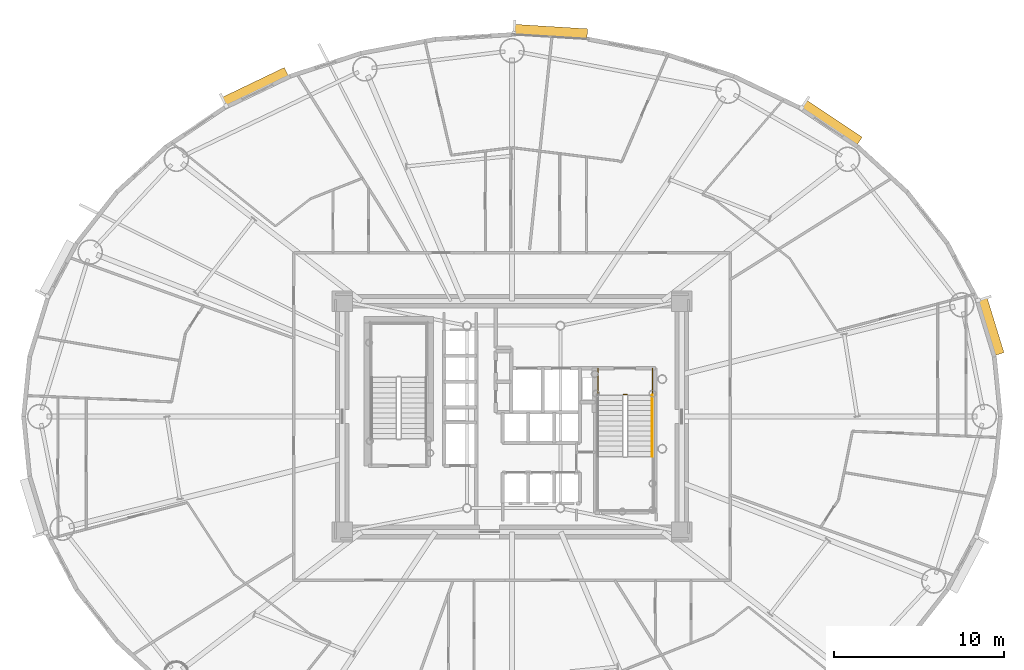
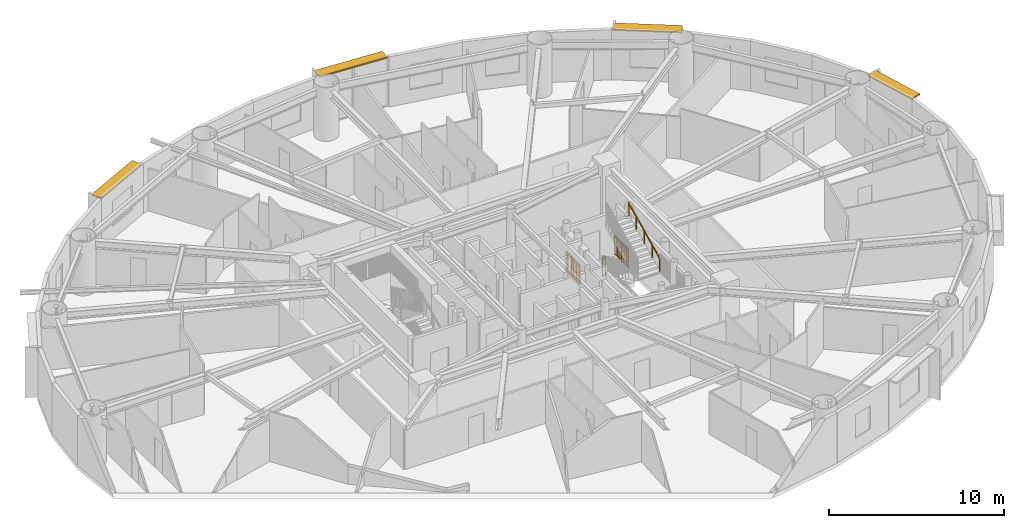
# One storey, part 21 of 21: 4 railings, 4 shading devices.
"""IFC4 building model written with IfcOpenShell, lengths in metres."""

import ifcopenshell
import ifcopenshell.guid

model = None  # the IFC model being written
_history = None  # IfcOwnerHistory: only IFC2X3 demands one
_inside = {}  # id of a spatial element -> (the spatial element, [elements in it])
_under = {}  # id of a project, library or spatial element -> (it, [spatial elements below it])
_declared = {}  # id of a project -> (the project, [libraries it declares])
_typed = {}  # id of a type object -> (the type object, [elements of that type])
_made_of = {}  # id of a material, layer set ... -> (it, [elements and type objects made of it])


def new_model(schema):
    """Start an empty IFC model of exactly this schema.

    Asked for "IFC4X3", IfcOpenShell would pick the latest addendum, in which some entities
    have other attributes; the version numbers below select the first issue.
    IFC2X3 requires an IfcOwnerHistory on every rooted entity: one is made here for all.
    """
    global model, _history
    if schema == "IFC4X3":
        model = ifcopenshell.file(schema_version=(4, 3, 0, 0))
    else:
        model = ifcopenshell.file(schema=schema)
    _inside.clear()
    _under.clear()
    _declared.clear()
    _typed.clear()
    _made_of.clear()
    _history = None
    if model.schema == "IFC2X3":
        org = make("IfcOrganization", Name="unknown")
        user = make(
            "IfcPersonAndOrganization",
            ThePerson=make("IfcPerson", FamilyName="unknown"),
            TheOrganization=org,
        )
        app = make(
            "IfcApplication",
            ApplicationDeveloper=org,
            Version="unknown",
            ApplicationFullName="unknown",
            ApplicationIdentifier="unknown",
        )
        _history = make(
            "IfcOwnerHistory",
            OwningUser=user,
            OwningApplication=app,
            ChangeAction="ADDED",
            CreationDate=0,
        )
    return model


def make(cls, **values):
    """One entity of the class cls with the attributes given. An attribute that is None is left unset."""
    return model.create_entity(
        cls, **{name: value for name, value in values.items() if value is not None}
    )


def rooted(cls, **values):
    """An entity with a GlobalId (a new one), such as an element, a storey or a relation."""
    return make(cls, GlobalId=ifcopenshell.guid.new(), OwnerHistory=_history, **values)


def si_unit(unit_type, name, prefix=None):
    """IfcSIUnit, for example si_unit("LENGTHUNIT", "METRE", prefix="MILLI")."""
    return make("IfcSIUnit", UnitType=unit_type, Prefix=prefix, Name=name)


def assignment(units):
    """IfcUnitAssignment: the units of a project."""
    return None if units is None else make("IfcUnitAssignment", Units=units)


def point(xyz):
    """IfcCartesianPoint."""
    return None if xyz is None else make("IfcCartesianPoint", Coordinates=xyz)


def direction(xyz):
    """IfcDirection."""
    return None if xyz is None else make("IfcDirection", DirectionRatios=xyz)


def frame(location, z_axis=None, x_axis=None):
    """IfcAxis2Placement3D, a coordinate frame: its origin and axes. An axis left out is left unset."""
    return make(
        "IfcAxis2Placement3D",
        Location=point(location),
        Axis=direction(z_axis),
        RefDirection=direction(x_axis),
    )


def frame_2d(location, x_axis=None):
    """IfcAxis2Placement2D, a coordinate frame in the plane: its origin and x axis."""
    return make(
        "IfcAxis2Placement2D", Location=point(location), RefDirection=direction(x_axis)
    )


def origin():
    """The frame at (0, 0, 0) with its axes left unset."""
    return frame((0.0, 0.0, 0.0))


def origin_2d():
    """The frame at (0, 0) in the plane with its x axis left unset."""
    return frame_2d((0.0, 0.0))


def place(relative_to, where):
    """IfcLocalPlacement: puts the frame where relative to a parent placement (None: the world)."""
    return make(
        "IfcLocalPlacement", PlacementRelTo=relative_to, RelativePlacement=where
    )


def context(
    kind, dimensions, precision=None, world=None, true_north=None, identifier=None
):
    """IfcGeometricRepresentationContext, for example the 3D "Model" context."""
    return make(
        "IfcGeometricRepresentationContext",
        ContextIdentifier=identifier,
        ContextType=kind,
        CoordinateSpaceDimension=dimensions,
        Precision=precision,
        WorldCoordinateSystem=world,
        TrueNorth=true_north,
    )


def subcontext(parent, identifier, kind, view, scale=None):
    """IfcGeometricRepresentationSubContext, for example "Body" below "Model"."""
    return make(
        "IfcGeometricRepresentationSubContext",
        ContextIdentifier=identifier,
        ContextType=kind,
        ParentContext=parent,
        TargetScale=scale,
        TargetView=view,
    )


def project(units=None, contexts=None):
    """IfcProject with its units and contexts."""
    return rooted(
        "IfcProject",
        Name="project",
        RepresentationContexts=contexts,
        UnitsInContext=assignment(units),
    )


def spatial(cls, under=None, at=None, **own):
    """A site, building, storey or space (cls), placed at a placement, below another one or the project."""
    s = rooted(cls, ObjectPlacement=at, **own)
    if under is not None:
        _under.setdefault(under.id(), (under, []))[1].append(s)
    return s


def profile(cls, at=None, kind="AREA", **sizes):
    """A parametric profile (cls). Its sizes go by their IFC names, for example OverallWidth=200.0."""
    return make(cls, ProfileType=kind, Position=at, **sizes)


def rectangle(**sizes):
    """IfcRectangleProfileDef."""
    return profile("IfcRectangleProfileDef", **sizes)


def extrude(swept, where, along, depth):
    """IfcExtrudedAreaSolid: the profile swept, set in the frame where, extruded along a direction by depth."""
    return make(
        "IfcExtrudedAreaSolid",
        SweptArea=swept,
        Position=where,
        ExtrudedDirection=direction(along),
        Depth=depth,
    )


def shape(context_of_items, identifier, shape_type, items):
    """IfcShapeRepresentation: the items that make up one representation, for example the "Body"."""
    return make(
        "IfcShapeRepresentation",
        ContextOfItems=context_of_items,
        RepresentationIdentifier=identifier,
        RepresentationType=shape_type,
        Items=items,
    )


def source(mapping_origin, context_of_items, identifier, shape_type, items):
    """IfcRepresentationMap: a shape defined once, which mapped items show again and again."""
    return make(
        "IfcRepresentationMap",
        MappingOrigin=mapping_origin,
        MappedRepresentation=shape(context_of_items, identifier, shape_type, items),
    )


def transform(
    local_origin,
    x_axis=None,
    y_axis=None,
    z_axis=None,
    scale=None,
    scale2=None,
    scale3=None,
    uniform=True,
):
    """IfcCartesianTransformationOperator3D, or its non-uniform kind. x_axis, y_axis, z_axis: its Axis1, 2, 3."""
    if uniform:
        return make(
            "IfcCartesianTransformationOperator3D",
            Axis1=direction(x_axis),
            Axis2=direction(y_axis),
            LocalOrigin=point(local_origin),
            Scale=scale,
            Axis3=direction(z_axis),
        )
    return make(
        "IfcCartesianTransformationOperator3DnonUniform",
        Axis1=direction(x_axis),
        Axis2=direction(y_axis),
        LocalOrigin=point(local_origin),
        Scale=scale,
        Axis3=direction(z_axis),
        Scale2=scale2,
        Scale3=scale3,
    )


def mapped(mapping_source, mapping_target):
    """IfcMappedItem: shows the shape of a source again, moved by a transform."""
    return make(
        "IfcMappedItem", MappingSource=mapping_source, MappingTarget=mapping_target
    )


def material(Name=None, Category=None):
    """IfcMaterial."""
    return make("IfcMaterial", Name=Name, Category=Category)


def layer(
    of_material, thickness, ventilated=None, Name=None, Category=None, Priority=None
):
    """IfcMaterialLayer: one layer of a wall or slab, of a material (None: an air gap)."""
    return make(
        "IfcMaterialLayer",
        Material=of_material,
        LayerThickness=thickness,
        IsVentilated=ventilated,
        Name=Name,
        Category=Category,
        Priority=Priority,
    )


def layer_set(layers, Name=None):
    """IfcMaterialLayerSet."""
    return make("IfcMaterialLayerSet", MaterialLayers=layers, LayerSetName=Name)


def made_of(thing, what):
    """Note that an element or type object is made of a material, layer set ...; save() writes the relation."""
    if what is not None:
        _made_of.setdefault(what.id(), (what, []))[1].append(thing)
    return thing


def type_object(cls, material=None, **own):
    """A type object (cls), such as IfcWallType, which elements share."""
    return made_of(rooted(cls, **own), material)


def element(
    cls,
    number,
    at=None,
    inside=None,
    cuts=None,
    type_object=None,
    material=None,
    context=None,
    identifier="Body",
    shape_type=None,
    held_by="IfcProductDefinitionShape",
    body=None,
    shapes=None,
    **own,
):
    """One element of the class cls, such as IfcWall. Its Tag is "e" and its number.

    at: its placement. inside: the storey or other place that contains it. cuts: it is an
    opening in that element (IfcRelVoidsElement). A single representation is given by context,
    identifier, shape_type and body (its items); several are given by shapes. held_by: the class
    of the entity that holds the representations. save() writes the other relations.
    """
    e = rooted(cls, Tag="e%d" % number, ObjectPlacement=at, **own)
    if body is not None:
        shapes = [shape(context, identifier, shape_type, body)]
    if shapes is not None:
        e.Representation = make(held_by, Representations=shapes)
    if inside is not None:
        _inside.setdefault(inside.id(), (inside, []))[1].append(e)
    if cuts is not None:
        rooted(
            "IfcRelVoidsElement", RelatingBuildingElement=cuts, RelatedOpeningElement=e
        )
    if type_object is not None:
        _typed.setdefault(type_object.id(), (type_object, []))[1].append(e)
    return made_of(e, material)


def aggregate(whole, parts):
    """IfcRelAggregates: a whole, such as a stair, and the parts it consists of."""
    return rooted("IfcRelAggregates", RelatingObject=whole, RelatedObjects=parts)


def save(model, path):
    """Write the relations noted so far, then the file.

    IfcRelAggregates (storeys below a building ...), IfcRelContainedInSpatialStructure (elements
    in a storey), IfcRelDefinesByType, IfcRelAssociatesMaterial and IfcRelDeclares: one each for
    every whole, place, type object, material and project.
    """
    for whole, parts in _under.values():
        aggregate(whole, parts)
    for where, things in _inside.values():
        rooted(
            "IfcRelContainedInSpatialStructure",
            RelatedElements=things,
            RelatingStructure=where,
        )
    for kind, things in _typed.values():
        rooted("IfcRelDefinesByType", RelatedObjects=things, RelatingType=kind)
    for what, things in _made_of.values():
        rooted("IfcRelAssociatesMaterial", RelatedObjects=things, RelatingMaterial=what)
    for by, libraries in _declared.values():
        rooted("IfcRelDeclares", RelatingContext=by, RelatedDefinitions=libraries)
    model.write(path)


model = new_model("IFC4")

# Units and contexts
model_context = context("Model", 3, precision=1e-05, world=origin(), true_north=direction((0.0, 1.0)))
body_context = subcontext(model_context, "Body", "Model", "MODEL_VIEW")
ifc_project = project(units=[si_unit("LENGTHUNIT", "METRE"), si_unit("AREAUNIT", "SQUARE_METRE"), si_unit("VOLUMEUNIT", "CUBIC_METRE"), si_unit("PLANEANGLEUNIT", "RADIAN"), si_unit("MASSUNIT", "GRAM", prefix="KILO")], contexts=[model_context])

# Site, building, storey
site_placement = place(None, origin())
site = spatial("IfcSite", under=ifc_project, at=site_placement, CompositionType="ELEMENT")
building_placement = place(site_placement, origin())
building = spatial("IfcBuilding", under=site, at=building_placement, Name="Linh Dai School and Residence Tower", CompositionType="ELEMENT")
storey_placement = place(building_placement, frame((0.0, 0.0, 115.949951171875)))
storey = spatial("IfcBuildingStorey", under=building, at=storey_placement, Name="L27", CompositionType="ELEMENT", Elevation=115.949951171875)

# Shading devices
ifc_material_1 = material(Name="Terracotta Ceramic Sunshade", Category="masonry")
ifc_layer = layer(ifc_material_1, 0.10009765625)
ifc_layer_set = layer_set([ifc_layer], Name="Terracotta Ceramic Sunshade")
shading_device_type = type_object("IfcShadingDeviceType", Name="SHD-TC-650", PredefinedType="USERDEFINED", material=ifc_layer_set)
shared_shape_1 = source(origin(), body_context, "Body", "SweptSolid", [
    extrude(rectangle(XDim=3.44384765625, YDim=0.64990234375, at=origin_2d()), origin(), (0.0, 0.0, 1.0), 0.10009765625),
])
shading_device_1_placement = place(storey_placement, frame((64.16845703125, 32.313720703125, 3.3798828125), z_axis=(0.0, 0.0, 1.0), x_axis=(0.293133528962, -0.956071511028, 0.0)))
element("IfcShadingDevice", 1, at=shading_device_1_placement, inside=storey, type_object=shading_device_type, Name="L27 Terracotta Horizontal Sunshade Band 02", ObjectType="SUNSHADE", PredefinedType="USERDEFINED", context=body_context, shape_type="MappedRepresentation", body=[
    mapped(shared_shape_1, transform((0.0, 0.0, 0.0), x_axis=(1.0, 0.0, 0.0), y_axis=(0.0, 1.0, 0.0), z_axis=(0.0, 0.0, 1.0), scale=1.0)),
])
shared_shape_2 = source(origin(), body_context, "Body", "SweptSolid", [
    extrude(rectangle(XDim=3.96484375, YDim=0.64990234375, at=origin_2d()), origin(), (0.0, 0.0, 1.0), 0.10009765625),
])
shading_device_2_placement = place(storey_placement, frame((54.80029296875, 44.288330078125, 3.3798828125), z_axis=(0.0, 0.0, 1.0), x_axis=(0.831240347736, -0.555913198527, 0.0)))
element("IfcShadingDevice", 2, at=shading_device_2_placement, inside=storey, type_object=shading_device_type, Name="L27 Terracotta Horizontal Sunshade Band 06", ObjectType="SUNSHADE", PredefinedType="USERDEFINED", context=body_context, shape_type="MappedRepresentation", body=[
    mapped(shared_shape_2, transform((0.0, 0.0, 0.0), x_axis=(1.0, 0.0, 0.0), y_axis=(0.0, 1.0, 0.0), z_axis=(0.0, 0.0, 1.0), scale=1.0)),
])
shared_shape_3 = source(origin(), body_context, "Body", "SweptSolid", [
    extrude(rectangle(XDim=4.33349609375, YDim=0.64990234375, at=origin_2d()), origin(), (0.0, 0.0, 1.0), 0.10009765625),
])
shading_device_3_placement = place(storey_placement, frame((38.270263671875, 49.650634765625, 3.3798828125), z_axis=(0.0, 0.0, 1.0), x_axis=(0.998106513123, -0.061509255091, 0.0)))
element("IfcShadingDevice", 3, at=shading_device_3_placement, inside=storey, type_object=shading_device_type, Name="L27 Terracotta Horizontal Sunshade Band 10", ObjectType="SUNSHADE", PredefinedType="USERDEFINED", context=body_context, shape_type="MappedRepresentation", body=[
    mapped(shared_shape_3, transform((0.0, 0.0, 0.0), x_axis=(1.0, 0.0, 0.0), y_axis=(0.0, 1.0, 0.0), z_axis=(0.0, 0.0, 1.0), scale=1.0)),
])
shared_shape_4 = source(origin(), body_context, "Body", "SweptSolid", [
    extrude(rectangle(XDim=4.1005859375, YDim=0.64990234375, at=origin_2d()), origin(), (0.0, 0.0, 1.0), 0.10009765625),
])
shading_device_4_placement = place(storey_placement, frame((20.877197265625, 46.38037109375, 3.3798828125), z_axis=(0.0, 0.0, 1.0), x_axis=(0.901577518371, 0.432617589064, 0.0)))
element("IfcShadingDevice", 4, at=shading_device_4_placement, inside=storey, type_object=shading_device_type, Name="L27 Terracotta Horizontal Sunshade Band 14", ObjectType="SUNSHADE", PredefinedType="USERDEFINED", context=body_context, shape_type="MappedRepresentation", body=[
    mapped(shared_shape_4, transform((0.0, 0.0, 0.0), x_axis=(1.0, 0.0, 0.0), y_axis=(0.0, 1.0, 0.0), z_axis=(0.0, 0.0, 1.0), scale=1.0)),
])

# Railings
ifc_material_2 = material(Name="Brushed Stainless Steel Handrail", Category="steel")
railing_type_1 = type_object("IfcRailingType", Name="RL-ST-HANDRAIL-900", PredefinedType="HANDRAIL", material=ifc_material_2)
shared_shape_5 = source(origin(), body_context, "Body", "SweptSolid", [
    extrude(rectangle(XDim=0.048095703125, YDim=0.048095703125, at=origin_2d()), frame((0.0, 0.0, 0.8759765625), z_axis=(0.0, 0.901262522062, 0.433273431364), x_axis=(-1.0, 0.0, 0.0)), (0.0, 0.0, 1.0), 3.994384765625),
    extrude(rectangle(XDim=0.0419921875, YDim=0.0419921875, at=origin_2d()), origin(), (0.0, 0.0, 1.0), 0.8759765625),
    extrude(rectangle(XDim=0.0419921875, YDim=0.0419921875, at=origin_2d()), frame((0.0, 0.89990234375, 0.4326171875)), (0.0, 0.0, 1.0), 0.8759765625),
    extrude(rectangle(XDim=0.0419921875, YDim=0.0419921875, at=origin_2d()), frame((0.0, 1.800048828125, 0.865234375)), (0.0, 0.0, 1.0), 0.8759765625),
    extrude(rectangle(XDim=0.0419921875, YDim=0.0419921875, at=origin_2d()), frame((0.0, 2.7001953125, 1.298095703125)), (0.0, 0.0, 1.0), 0.8759765625),
    extrude(rectangle(XDim=0.0419921875, YDim=0.0419921875, at=origin_2d()), frame((0.0, 3.60009765625, 1.730712890625)), (0.0, 0.0, 1.0), 0.8759765625),
])
railing_1_placement = place(storey_placement, frame((44.27001953125, 24.64990234375, 2.019287109375)))
element("IfcRailing", 5, at=railing_1_placement, inside=storey, type_object=railing_type_1, Name="L27 ST2 stair handrail 2", PredefinedType="HANDRAIL", context=body_context, shape_type="MappedRepresentation", body=[
    mapped(shared_shape_5, transform((0.0, 0.0, 0.0), x_axis=(1.0, 0.0, 0.0), y_axis=(0.0, 1.0, 0.0), z_axis=(0.0, 0.0, 1.0), scale=1.0)),
])
ifc_material_3 = material(Name="Structural Steel S355JR", Category="steel")
railing_type_2 = type_object("IfcRailingType", Name="RL-ST-GUARD-1400", PredefinedType="GUARDRAIL", material=ifc_material_3)
shared_shape_6 = source(origin(), body_context, "Body", "SweptSolid", [
    extrude(rectangle(XDim=0.048095703125, YDim=0.048095703125, at=origin_2d()), frame((0.0, 0.0, 1.3759765625), z_axis=(1.0, 0.0, 0.0), x_axis=(0.0, 1.0, 0.0)), (0.0, 0.0, 1.0), 0.199951171875),
    extrude(rectangle(XDim=0.048095703125, YDim=0.048095703125, at=origin_2d()), frame((0.0, 0.0, 0.10009765625), z_axis=(1.0, 0.0, 0.0), x_axis=(0.0, 1.0, 0.0)), (0.0, 0.0, 1.0), 0.199951171875),
    extrude(rectangle(XDim=0.030029296875, YDim=0.030029296875, at=origin_2d()), frame((0.0, 0.0, 1.239990234375), z_axis=(1.0, 0.0, 0.0), x_axis=(0.0, 1.0, 0.0)), (0.0, 0.0, 1.0), 0.199951171875),
    extrude(rectangle(XDim=0.0419921875, YDim=0.0419921875, at=origin_2d()), origin(), (0.0, 0.0, 1.0), 1.3759765625),
    extrude(rectangle(XDim=0.0419921875, YDim=0.0419921875, at=origin_2d()), frame((0.199951171875, 0.0, 0.0)), (0.0, 0.0, 1.0), 1.3759765625),
])
railing_2_placement = place(storey_placement, frame((42.570068359375, 28.300048828125, 0.0)))
element("IfcRailing", 6, at=railing_2_placement, inside=storey, type_object=railing_type_2, Name="L27 ST2 stair guard 7", PredefinedType="GUARDRAIL", context=body_context, shape_type="MappedRepresentation", body=[
    mapped(shared_shape_6, transform((0.0, 0.0, 0.0), x_axis=(1.0, 0.0, 0.0), y_axis=(0.0, 1.0, 0.0), z_axis=(0.0, 0.0, 1.0), scale=1.0)),
])
shared_shape_7 = source(origin(), body_context, "Body", "SweptSolid", [
    extrude(rectangle(XDim=0.048095703125, YDim=0.048095703125, at=origin_2d()), frame((0.0, 0.0, 1.3759765625), z_axis=(0.0, -1.0, 0.0), x_axis=(1.0, 0.0, 0.0)), (0.0, 0.0, 1.0), 1.60009765625),
    extrude(rectangle(XDim=0.048095703125, YDim=0.048095703125, at=origin_2d()), frame((0.0, 0.0, 0.10009765625), z_axis=(0.0, -1.0, 0.0), x_axis=(1.0, 0.0, 0.0)), (0.0, 0.0, 1.0), 1.60009765625),
    extrude(rectangle(XDim=0.030029296875, YDim=0.030029296875, at=origin_2d()), frame((0.0, 0.0, 1.239990234375), z_axis=(0.0, -1.0, 0.0), x_axis=(1.0, 0.0, 0.0)), (0.0, 0.0, 1.0), 1.60009765625),
    extrude(rectangle(XDim=0.02001953125, YDim=0.02001953125, at=origin_2d()), frame((0.0, -0.09423828125, 0.10009765625)), (0.0, 0.0, 1.0), 1.251708984375),
    extrude(rectangle(XDim=0.02001953125, YDim=0.02001953125, at=origin_2d()), frame((0.0, -0.188232421875, 0.10009765625)), (0.0, 0.0, 1.0), 1.251708984375),
    extrude(rectangle(XDim=0.02001953125, YDim=0.02001953125, at=origin_2d()), frame((0.0, -0.282470703125, 0.10009765625)), (0.0, 0.0, 1.0), 1.251708984375),
    extrude(rectangle(XDim=0.02001953125, YDim=0.02001953125, at=origin_2d()), frame((0.0, -0.37646484375, 0.10009765625)), (0.0, 0.0, 1.0), 1.251708984375),
    extrude(rectangle(XDim=0.02001953125, YDim=0.02001953125, at=origin_2d()), frame((0.0, -0.470703125, 0.10009765625)), (0.0, 0.0, 1.0), 1.251708984375),
    extrude(rectangle(XDim=0.02001953125, YDim=0.02001953125, at=origin_2d()), frame((0.0, -0.564697265625, 0.10009765625)), (0.0, 0.0, 1.0), 1.251708984375),
    extrude(rectangle(XDim=0.02001953125, YDim=0.02001953125, at=origin_2d()), frame((0.0, -0.658935546875, 0.10009765625)), (0.0, 0.0, 1.0), 1.251708984375),
    extrude(rectangle(XDim=0.02001953125, YDim=0.02001953125, at=origin_2d()), frame((0.0, -0.7529296875, 0.10009765625)), (0.0, 0.0, 1.0), 1.251708984375),
    extrude(rectangle(XDim=0.02001953125, YDim=0.02001953125, at=origin_2d()), frame((0.0, -0.84716796875, 0.10009765625)), (0.0, 0.0, 1.0), 1.251708984375),
    extrude(rectangle(XDim=0.02001953125, YDim=0.02001953125, at=origin_2d()), frame((0.0, -0.941162109375, 0.10009765625)), (0.0, 0.0, 1.0), 1.251708984375),
    extrude(rectangle(XDim=0.02001953125, YDim=0.02001953125, at=origin_2d()), frame((0.0, -1.035400390625, 0.10009765625)), (0.0, 0.0, 1.0), 1.251708984375),
    extrude(rectangle(XDim=0.02001953125, YDim=0.02001953125, at=origin_2d()), frame((0.0, -1.12939453125, 0.10009765625)), (0.0, 0.0, 1.0), 1.251708984375),
    extrude(rectangle(XDim=0.02001953125, YDim=0.02001953125, at=origin_2d()), frame((0.0, -1.2236328125, 0.10009765625)), (0.0, 0.0, 1.0), 1.251708984375),
    extrude(rectangle(XDim=0.02001953125, YDim=0.02001953125, at=origin_2d()), frame((0.0, -1.317626953125, 0.10009765625)), (0.0, 0.0, 1.0), 1.251708984375),
    extrude(rectangle(XDim=0.02001953125, YDim=0.02001953125, at=origin_2d()), frame((0.0, -1.411865234375, 0.10009765625)), (0.0, 0.0, 1.0), 1.251708984375),
    extrude(rectangle(XDim=0.02001953125, YDim=0.02001953125, at=origin_2d()), frame((0.0, -1.505859375, 0.10009765625)), (0.0, 0.0, 1.0), 1.251708984375),
    extrude(rectangle(XDim=0.0419921875, YDim=0.0419921875, at=origin_2d()), origin(), (0.0, 0.0, 1.0), 1.3759765625),
    extrude(rectangle(XDim=0.0419921875, YDim=0.0419921875, at=origin_2d()), frame((0.0, -0.800048828125, 0.0)), (0.0, 0.0, 1.0), 1.3759765625),
    extrude(rectangle(XDim=0.0419921875, YDim=0.0419921875, at=origin_2d()), frame((0.0, -1.60009765625, 0.0)), (0.0, 0.0, 1.0), 1.3759765625),
])
for number, where, name in (
    (7, (41.070068359375, 29.85009765625, 0.0), "L27 ST2 stair guard 8"),
    (8, (44.27001953125, 29.85009765625, 0.0), "L27 ST2 stair guard 9"),
):
    element("IfcRailing", number, at=place(storey_placement, frame(where)), inside=storey, type_object=railing_type_2, Name=name, PredefinedType="GUARDRAIL", context=body_context, shape_type="MappedRepresentation", body=[
        mapped(shared_shape_7, transform((0.0, 0.0, 0.0), x_axis=(1.0, 0.0, 0.0), y_axis=(0.0, 1.0, 0.0), z_axis=(0.0, 0.0, 1.0), scale=1.0)),
    ])

save(model, "model.ifc")
